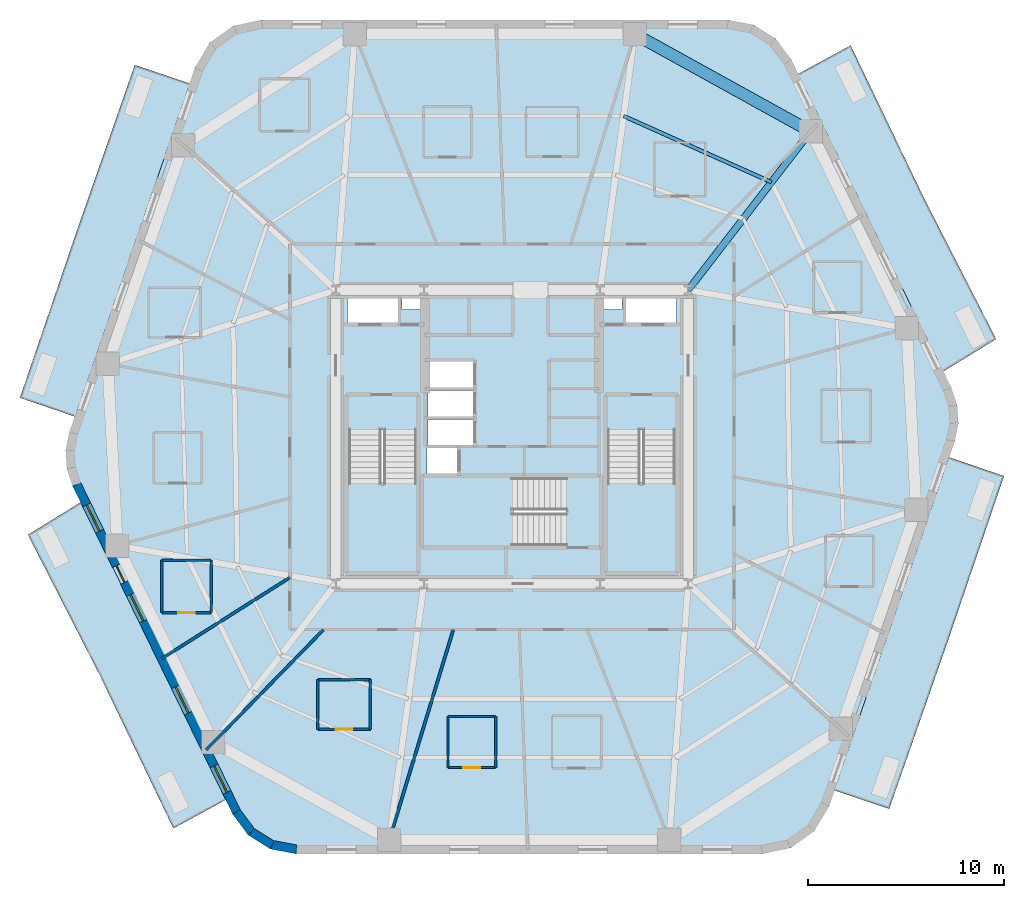
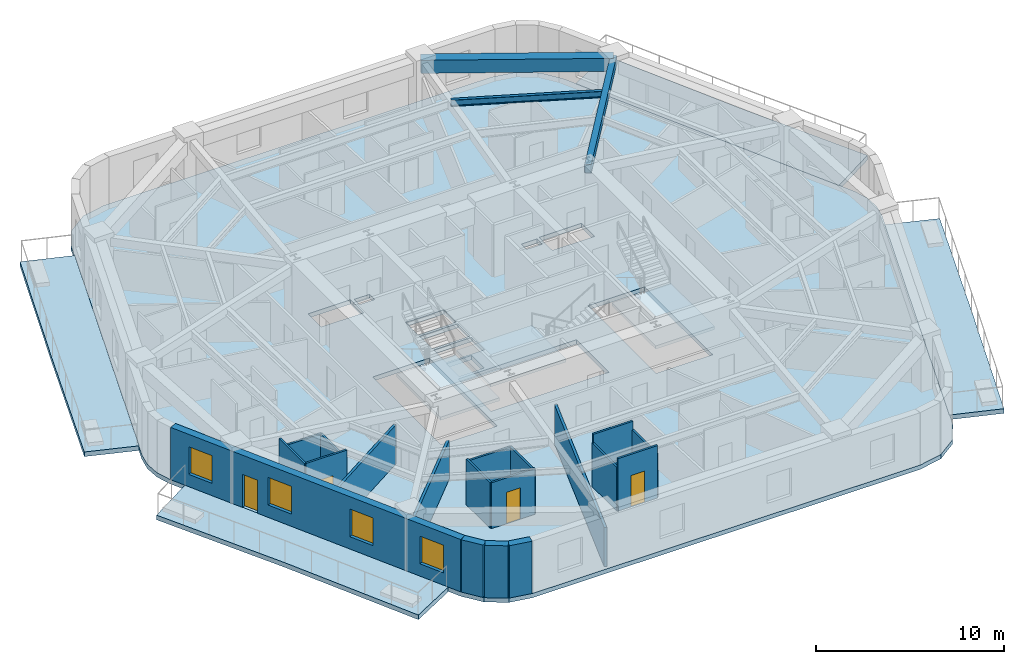
# One storey, part 2 of 10: 19 walls, 8 slabs, 4 doors, 4 windows, 3 beams, 8 openings, 3 elements without a shape of their own.
"""IFC4 building model written with IfcOpenShell, lengths in metres."""

from ifc_helpers import new_model, si_unit, direction, frame, frame_2d, origin, origin_2d, place, context, subcontext, project, spatial, polyline, rectangle, i_section, outline, extrude, material, layer, layer_set, material_profile, profile_set, type_object, element, fill, aggregate, save


model = new_model("IFC4")

# Units and contexts
model_context = context("Model", 3, precision=1e-05, world=origin(), true_north=direction((0.0, 1.0)))
body_context = subcontext(model_context, "Body", "Model", "MODEL_VIEW")
ifc_project = project(units=[si_unit("LENGTHUNIT", "METRE"), si_unit("AREAUNIT", "SQUARE_METRE"), si_unit("VOLUMEUNIT", "CUBIC_METRE"), si_unit("PLANEANGLEUNIT", "RADIAN"), si_unit("MASSUNIT", "GRAM", prefix="KILO")], contexts=[model_context])

# Site, building, storey
site_placement = place(None, origin())
site = spatial("IfcSite", under=ifc_project, at=site_placement, CompositionType="ELEMENT")
building_placement = place(site_placement, origin())
building = spatial("IfcBuilding", under=site, at=building_placement, Name="Kilnhurst Terrace Hotel", CompositionType="ELEMENT")
storey_placement = place(building_placement, frame((0.0, 0.0, 121.0)))
storey = spatial("IfcBuildingStorey", under=building, at=storey_placement, Name="L29", CompositionType="ELEMENT", Elevation=121.0)

# Beams
ifc_material_1 = material(Name="Concrete C50/60", Category="concrete")
ifc_material_profile_1 = material_profile(ifc_material_1, rectangle(XDim=0.35009765625, YDim=0.550048828125, at=origin_2d()), Name="RC350X550")
ifc_profile_set_1 = profile_set([ifc_material_profile_1], Name="Concrete C50/60")
beam_type_1 = type_object("IfcBeamType", Name="BM-RAD-350X550", PredefinedType="BEAM", material=ifc_profile_set_1)
beam_1_placement = place(storey_placement, frame((9.0, 7.5, 3.125), z_axis=(0.610904638371, 0.79170418896, 0.0), x_axis=(-0.79170418896, 0.610904638371, 0.0)))
element("IfcBeam", 1, at=beam_1_placement, inside=storey, type_object=beam_type_1, Name="L29 Radial Floor Beam 6", PredefinedType="BEAM", context=body_context, shape_type="SweptSolid", body=[
    extrude(rectangle(XDim=0.35009765625, YDim=0.550048828125, at=origin_2d()), origin(), (0.0, 0.0, 1.0), 10.242431640625),
])
ifc_material_profile_2 = material_profile(ifc_material_1, rectangle(XDim=0.60009765625, YDim=0.85009765625, at=origin_2d()), Name="RC600X850")
ifc_profile_set_2 = profile_set([ifc_material_profile_2], Name="Concrete C50/60")
beam_type_2 = type_object("IfcBeamType", Name="BM-SPN-600X850", PredefinedType="SPANDREL", material=ifc_profile_set_2)
beam_2_placement = place(storey_placement, frame((15.257080078125, 15.60888671875, 2.97509765625), z_axis=(-0.875094010429, 0.483952965598, 0.0), x_axis=(-0.483952965598, -0.875094010429, 0.0)))
element("IfcBeam", 2, at=beam_2_placement, inside=storey, type_object=beam_type_2, Name="L29 Perimeter Spandrel Beam 6", PredefinedType="SPANDREL", context=body_context, shape_type="SweptSolid", body=[
    extrude(rectangle(XDim=0.60009765625, YDim=0.85009765625, at=origin_2d()), origin(), (0.0, 0.0, 1.0), 10.27197265625),
])
ifc_material_2 = material(Name="Steel ASTM A992 Grade 50", Category="steel")
ifc_material_profile_3 = material_profile(ifc_material_2, i_section(OverallWidth=0.180908203125, OverallDepth=0.417236328125, WebThickness=0.010986328125, FlangeThickness=0.018310546875, at=origin_2d()), Name="W16X57")
ifc_profile_set_3 = profile_set([ifc_material_profile_3], Name="Steel ASTM A992 Grade 50")
beam_type_3 = type_object("IfcBeamType", Name="JST-STL-W16X57", PredefinedType="JOIST", material=ifc_profile_set_3)
beam_3_placement = place(storey_placement, frame((13.2548828125, 13.01416015625, 3.19091796875), z_axis=(-0.912760935806, 0.408494154262, 0.0), x_axis=(-0.408494154262, -0.912760935806, 0.0)))
element("IfcBeam", 3, at=beam_3_placement, inside=storey, type_object=beam_type_3, Name="L29 Secondary Floor Steel Joist OUT.6", PredefinedType="JOIST", context=body_context, shape_type="SweptSolid", body=[
    extrude(i_section(OverallWidth=0.180908203125, OverallDepth=0.417236328125, WebThickness=0.010986328125, FlangeThickness=0.018310546875, at=origin_2d()), origin(), (0.0, 0.0, 1.0), 8.274658203125),
])

# Slabs
ifc_layer_1 = layer(ifc_material_1, 0.300048828125, Name="Concrete C50/60")
ifc_layer_set_1 = layer_set([ifc_layer_1], Name="Concrete C50/60")
slab_type_1 = type_object("IfcSlabType", Name="SLB-BAL-300", PredefinedType="FLOOR", material=ifc_layer_set_1)
slab_1_placement = place(storey_placement, frame((0.0, 0.0, -0.300048828125)))
element("IfcSlab", 4, at=slab_1_placement, inside=storey, type_object=slab_type_1, Name="L29 Cantilevered Planted Terrace Slab BAL-L1A", PredefinedType="FLOOR", context=body_context, shape_type="SweptSolid", body=[
    extrude(outline(polyline([(22.233154296875, -10.52880859375), (19.273193359375, -19.0), (16.45751953125, -18.05615234375), (22.319091796875, -1.03466796875), (25.13623046875, -2.0), (22.233154296875, -10.52880859375)])), origin(), (0.0, 0.0, 1.0), 0.300048828125),
])
slab_2_placement = place(storey_placement, frame((0.0, 0.0, -0.300048828125)))
element("IfcSlab", 5, at=slab_2_placement, inside=storey, type_object=slab_type_1, Name="L29 Cantilevered Planted Terrace Slab BAL-L1B", PredefinedType="FLOOR", context=body_context, shape_type="SweptSolid", body=[
    extrude(outline(polyline([(24.734130859375, 5.0), (22.023193359375, 3.333740234375), (14.6083984375, 18.53564453125), (17.301513671875, 20.0), (21.044921875, 12.205810546875), (24.734130859375, 5.0)])), origin(), (0.0, 0.0, 1.0), 0.300048828125),
])
slab_3_placement = place(storey_placement, frame((0.0, 0.0, -0.300048828125)))
element("IfcSlab", 6, at=slab_3_placement, inside=storey, type_object=slab_type_1, Name="L29 Cantilevered Planted Terrace Slab BAL-L2A", PredefinedType="FLOOR", context=body_context, shape_type="SweptSolid", body=[
    extrude(outline(polyline([(-19.273193359375, 19.0), (-16.45751953125, 18.05615234375), (-22.319091796875, 1.03466796875), (-25.13623046875, 2.0), (-22.233154296875, 10.52880859375), (-19.273193359375, 19.0)])), origin(), (0.0, 0.0, 1.0), 0.300048828125),
])
slab_4_placement = place(storey_placement, frame((0.0, 0.0, -0.300048828125)))
element("IfcSlab", 7, at=slab_4_placement, inside=storey, type_object=slab_type_1, Name="L29 Cantilevered Planted Terrace Slab BAL-L2B", PredefinedType="FLOOR", context=body_context, shape_type="SweptSolid", body=[
    extrude(outline(polyline([(-24.734130859375, -5.0), (-22.023193359375, -3.333740234375), (-14.6083984375, -18.53564453125), (-17.301513671875, -20.0), (-21.044921875, -12.205810546875), (-24.734130859375, -5.0)])), origin(), (0.0, 0.0, 1.0), 0.300048828125),
])
ifc_layer_2 = layer(ifc_material_1, 0.280029296875, Name="Concrete C50/60")
ifc_layer_set_2 = layer_set([ifc_layer_2], Name="Concrete C50/60")
slab_type_2 = type_object("IfcSlabType", Name="SLB-FLR-280", PredefinedType="FLOOR", material=ifc_layer_set_2)
slab_5_placement = place(storey_placement, frame((0.0, 0.0, -0.280029296875)))
element("IfcSlab", 8, at=slab_5_placement, inside=storey, type_object=slab_type_2, Name="L29 Structural Floor Slab", PredefinedType="FLOOR", context=body_context, shape_type="SweptSolid", body=[
    extrude(outline(polyline([(-14.2685546875, -19.2783203125), (-13.472900390625, -20.34716796875), (-12.342529296875, -21.05322265625), (-11.032958984375, -21.300048828125), (12.793701171875, -21.300048828125), (14.23876953125, -20.997314453125), (15.44091796875, -20.139892578125), (16.197509765625, -18.872314453125), (22.614501953125, -0.238525390625), (22.8017578125, 0.6826171875), (22.744384765625, 1.62060546875), (22.4462890625, 2.51171875), (14.2685546875, 19.2783203125), (13.472900390625, 20.34716796875), (12.342529296875, 21.05322265625), (11.032958984375, 21.300048828125), (-12.793701171875, 21.300048828125), (-14.23876953125, 20.997314453125), (-15.44091796875, 20.139892578125), (-16.197509765625, 18.872314453125), (-22.614501953125, 0.238525390625), (-22.8017578125, -0.6826171875), (-22.744384765625, -1.62060546875), (-22.4462890625, -2.51171875), (-14.2685546875, -19.2783203125)]), holes=[polyline([(-8.35009765625, 0.35498046875), (-4.8798828125, 0.35498046875), (-4.8798828125, -6.89990234375), (-8.35009765625, -6.89990234375), (-8.35009765625, 0.35498046875)]), polyline([(-2.800048828125, -1.89990234375), (-4.35009765625, -1.89990234375), (-4.35009765625, -0.550048828125), (-2.800048828125, -0.550048828125), (-2.800048828125, -1.89990234375)]), polyline([(-1.949951171875, -0.429931640625), (-4.300048828125, -0.429931640625), (-4.300048828125, 0.89990234375), (-1.949951171875, 0.89990234375), (-1.949951171875, -0.429931640625)]), polyline([(-4.300048828125, 1.050048828125), (-4.300048828125, 2.3798828125), (-1.949951171875, 2.3798828125), (-1.949951171875, 1.050048828125), (-4.300048828125, 1.050048828125)]), polyline([(-8.39990234375, 5.75), (-8.39990234375, 7.14990234375), (-5.800048828125, 7.14990234375), (-5.800048828125, 5.75), (-8.39990234375, 5.75)]), polyline([(-4.659912109375, 6.52001953125), (-5.6201171875, 6.52001953125), (-5.6201171875, 7.080078125), (-4.659912109375, 7.080078125), (-4.659912109375, 6.52001953125)]), polyline([(2.7548828125, -5.550048828125), (-4.5, -5.550048828125), (-4.5, -2.080078125), (2.7548828125, -2.080078125), (2.7548828125, -5.550048828125)]), polyline([(8.35009765625, 0.35498046875), (8.35009765625, -6.89990234375), (4.8798828125, -6.89990234375), (4.8798828125, 0.35498046875), (8.35009765625, 0.35498046875)]), polyline([(-1.949951171875, 2.530029296875), (-4.300048828125, 2.530029296875), (-4.300048828125, 3.860107421875), (-1.949951171875, 3.860107421875), (-1.949951171875, 2.530029296875)]), polyline([(5.800048828125, 5.75), (5.800048828125, 7.14990234375), (8.39990234375, 7.14990234375), (8.39990234375, 5.75), (5.800048828125, 5.75)]), polyline([(4.659912109375, 6.52001953125), (4.659912109375, 7.080078125), (5.6201171875, 7.080078125), (5.6201171875, 6.52001953125), (4.659912109375, 6.52001953125)])]), origin(), (0.0, 0.0, 1.0), 0.280029296875),
])

# Stair, slab
stair_type = type_object("IfcStairType", Name="STR-CORE-1660", PredefinedType="HALF_TURN_STAIR", material=ifc_material_1)
stair_1_placement = place(storey_placement, origin())
stair_1 = element("IfcStair", 9, at=stair_1_placement, inside=storey, type_object=stair_type, Name="L29 ST-1", PredefinedType="HALF_TURN_STAIR")
ifc_layer_3 = layer(ifc_material_1, 0.199951171875, Name="Concrete C50/60")
ifc_layer_set_3 = layer_set([ifc_layer_3], Name="Concrete C50/60")
slab_type_3 = type_object("IfcSlabType", Name="SLB-ST-LND-200", PredefinedType="LANDING", material=ifc_layer_set_3)
slab_6_placement = place(storey_placement, frame((0.0, 0.0, 1.64990234375)))
slab_6 = element("IfcSlab", 10, at=slab_6_placement, type_object=slab_type_3, Name="ST-1 landing 1", PredefinedType="LANDING", context=body_context, shape_type="SweptSolid", body=[
    extrude(outline(polyline([(-8.429931640625, -2.330078125), (-4.800048828125, -2.330078125), (-4.800048828125, -6.97998046875), (-8.429931640625, -6.97998046875), (-8.429931640625, -2.330078125)])), origin(), (0.0, 0.0, 1.0), 0.2001953125),
])
aggregate(stair_1, [slab_6])

stair_2_placement = place(storey_placement, origin())
stair_2 = element("IfcStair", 11, at=stair_2_placement, inside=storey, type_object=stair_type, Name="L29 ST-2", PredefinedType="HALF_TURN_STAIR")
slab_7_placement = place(storey_placement, frame((0.0, 0.0, 1.64990234375)))
slab_7 = element("IfcSlab", 12, at=slab_7_placement, type_object=slab_type_3, Name="ST-2 landing 1", PredefinedType="LANDING", context=body_context, shape_type="SweptSolid", body=[
    extrude(outline(polyline([(4.800048828125, -2.330078125), (8.429931640625, -2.330078125), (8.429931640625, -6.97998046875), (4.800048828125, -6.97998046875), (4.800048828125, -2.330078125)])), origin(), (0.0, 0.0, 1.0), 0.2001953125),
])
aggregate(stair_2, [slab_7])

stair_3_placement = place(storey_placement, origin())
stair_3 = element("IfcStair", 13, at=stair_3_placement, inside=storey, type_object=stair_type, Name="L29 ST-3", PredefinedType="HALF_TURN_STAIR")
slab_8_placement = place(storey_placement, frame((0.0, 0.0, 1.64990234375)))
slab_8 = element("IfcSlab", 14, at=slab_8_placement, type_object=slab_type_3, Name="ST-3 landing 1", PredefinedType="LANDING", context=body_context, shape_type="SweptSolid", body=[
    extrude(outline(polyline([(0.070068359375, -2.0), (0.070068359375, -5.6298828125), (-4.580078125, -5.6298828125), (-4.580078125, -2.0), (0.070068359375, -2.0)])), origin(), (0.0, 0.0, 1.0), 0.2001953125),
])
aggregate(stair_3, [slab_8])

# Walls
ifc_material_3 = material(Name="Precast concrete C40/50", Category="concrete")
ifc_layer_4 = layer(ifc_material_3, 0.449951171875, Name="Precast concrete C40/50")
ifc_layer_set_4 = layer_set([ifc_layer_4], Name="Precast concrete C40/50")
wall_type_1 = type_object("IfcWallType", Name="WL-BRK-450", PredefinedType="SOLIDWALL", material=ifc_layer_set_4)
wall_1_placement = place(storey_placement, frame((-14.07568359375, -19.16064453125, 0.0), z_axis=(0.0, 0.0, 1.0), x_axis=(0.597226657159, -0.802072515412, 0.0)))
element("IfcWall", 15, at=wall_1_placement, inside=storey, type_object=wall_type_1, Name="L29 Rounded Corner Brick Wall C1.1", PredefinedType="SOLIDWALL", context=body_context, shape_type="SweptSolid", body=[
    extrude(rectangle(XDim=1.269287109375, YDim=0.449951171875, at=frame_2d((0.634765625, 0.0))), origin(), (0.0, 0.0, 1.0), 3.39990234375),
])
wall_2_placement = place(storey_placement, frame((-13.317626953125, -20.1787109375, 0.0), z_axis=(0.0, 0.0, 1.0), x_axis=(0.848031272749, -0.529946186362, 0.0)))
element("IfcWall", 16, at=wall_2_placement, inside=storey, type_object=wall_type_1, Name="L29 Rounded Corner Brick Wall C1.2", PredefinedType="SOLIDWALL", context=body_context, shape_type="SweptSolid", body=[
    extrude(rectangle(XDim=1.248046875, YDim=0.449951171875, at=frame_2d((0.6240234375, 0.0))), origin(), (0.0, 0.0, 1.0), 3.39990234375),
])
wall_3_placement = place(storey_placement, frame((-12.25927734375, -20.840087890625, 0.0), z_axis=(0.0, 0.0, 1.0), x_axis=(0.982730354425, -0.185043374624, 0.0)))
element("IfcWall", 17, at=wall_3_placement, inside=storey, type_object=wall_type_1, Name="L29 Rounded Corner Brick Wall C1.3", PredefinedType="SOLIDWALL", context=body_context, shape_type="SweptSolid", body=[
    extrude(rectangle(XDim=1.269287109375, YDim=0.449951171875, at=frame_2d((0.634765625, 0.0))), origin(), (0.0, 0.0, 1.0), 3.39990234375),
])

# Wall, openings, door, windows
wall_4_placement = place(storey_placement, frame((-22.237548828125, -2.426513671875, 0.0), z_axis=(0.0, 0.0, 1.0), x_axis=(0.438374803278, -0.898792262901, 0.0)))
wall_4 = element("IfcWall", 18, at=wall_4_placement, inside=storey, type_object=wall_type_1, Name="L29 Exterior Brick Facade Wall F6", PredefinedType="SOLIDWALL", context=body_context, shape_type="SweptSolid", body=[
    extrude(rectangle(XDim=18.618408203125, YDim=0.449951171875, at=frame_2d((9.30908203125, 0.0))), origin(), (0.0, 0.0, 1.0), 3.39990234375),
])
opening_1_placement = place(wall_4_placement, frame((4.6201171875, 0.0, 0.0)))
opening_1 = element("IfcOpeningElement", 19, at=opening_1_placement, cuts=wall_4, Name="Opening BD-950", PredefinedType="OPENING", context=body_context, shape_type="SweptSolid", body=[
    extrude(rectangle(XDim=0.949951171875, YDim=2.14990234375, at=frame_2d((0.47509765625, 1.074951171875))), frame((0.0, 0.23486328125, 0.0), z_axis=(0.0, -1.0, 0.0), x_axis=(1.0, 0.0, 0.0)), (0.0, 0.0, 1.0), 0.469970703125),
])
opening_2_placement = place(wall_4_placement, frame((1.1630859375, 0.0, 0.800048828125)))
opening_2 = element("IfcOpeningElement", 20, at=opening_2_placement, cuts=wall_4, Name="Opening W-02", PredefinedType="OPENING", context=body_context, shape_type="SweptSolid", body=[
    extrude(rectangle(XDim=1.5, YDim=1.800048828125, at=frame_2d((0.75, 0.89990234375))), frame((0.0, 0.23486328125, 0.0), z_axis=(0.0, -1.0, 0.0), x_axis=(1.0, 0.0, 0.0)), (0.0, 0.0, 1.0), 0.469970703125),
])
opening_3_placement = place(wall_4_placement, frame((6.261962890625, 0.0, 0.800048828125)))
opening_3 = element("IfcOpeningElement", 21, at=opening_3_placement, cuts=wall_4, Name="Opening W-02", PredefinedType="OPENING", context=body_context, shape_type="SweptSolid", body=[
    extrude(rectangle(XDim=1.5, YDim=1.800048828125, at=frame_2d((0.75, 0.89990234375))), frame((0.0, 0.23486328125, 0.0), z_axis=(0.0, -1.0, 0.0), x_axis=(1.0, 0.0, 0.0)), (0.0, 0.0, 1.0), 0.469970703125),
])
opening_4_placement = place(wall_4_placement, frame((11.5009765625, 0.0, 0.800048828125)))
opening_4 = element("IfcOpeningElement", 22, at=opening_4_placement, cuts=wall_4, Name="Opening W-02", PredefinedType="OPENING", context=body_context, shape_type="SweptSolid", body=[
    extrude(rectangle(XDim=1.5, YDim=1.800048828125, at=frame_2d((0.75, 0.89990234375))), frame((0.0, 0.23486328125, 0.0), z_axis=(0.0, -1.0, 0.0), x_axis=(1.0, 0.0, 0.0)), (0.0, 0.0, 1.0), 0.469970703125),
])
opening_5_placement = place(wall_4_placement, frame((16.006103515625, 0.0, 0.800048828125)))
opening_5 = element("IfcOpeningElement", 23, at=opening_5_placement, cuts=wall_4, Name="Opening W-02", PredefinedType="OPENING", context=body_context, shape_type="SweptSolid", body=[
    extrude(rectangle(XDim=1.5, YDim=1.800048828125, at=frame_2d((0.75, 0.89990234375))), frame((0.0, 0.23486328125, 0.0), z_axis=(0.0, -1.0, 0.0), x_axis=(1.0, 0.0, 0.0)), (0.0, 0.0, 1.0), 0.469970703125),
])
ifc_material_4 = material(Name="Thermally Broken Bronze Aluminium Alloy 6063-T6 and Laminated Glass", Category="aluminium")
door_type_1 = type_object("IfcDoorType", Name="DR-EXT-BAL-950", OperationType="NOTDEFINED", PredefinedType="DOOR", material=ifc_material_4)
door_1_placement = place(opening_1_placement, origin())
door_1 = element("IfcDoor", 24, at=door_1_placement, inside=storey, type_object=door_type_1, Name="L29 Planted Balcony Door BAL-L2B", OperationType="SINGLE_SWING_RIGHT", OverallHeight=2.14990234375, OverallWidth=0.949951171875, PredefinedType="DOOR", context=body_context, shape_type="SweptSolid", body=[
    extrude(rectangle(XDim=0.949951171875, YDim=2.14990234375, at=frame_2d((0.47509765625, 1.074951171875))), frame((0.0, 0.02490234375, 0.0), z_axis=(0.0, -1.0, 0.0), x_axis=(1.0, 0.0, 0.0)), (0.0, 0.0, 1.0), 0.050048828125),
])
fill(opening_1, door_1)
ifc_material_5 = material(Name="Thermally Broken Bronze Aluminium Alloy 6063-T6 and Low-E Glass", Category="aluminium")
window_type = type_object("IfcWindowType", Name="WIN-1500X1800", PartitioningType="SINGLE_PANEL", PredefinedType="WINDOW", material=ifc_material_5)
window_1_placement = place(opening_2_placement, origin())
window_1 = element("IfcWindow", 25, at=window_1_placement, inside=storey, type_object=window_type, Name="L29 Deep-Set Masonry Window F6.1", OverallHeight=1.800048828125, OverallWidth=1.5, PartitioningType="SINGLE_PANEL", PredefinedType="WINDOW", context=body_context, shape_type="SweptSolid", body=[
    extrude(rectangle(XDim=1.5, YDim=1.800048828125, at=frame_2d((0.75, 0.89990234375))), frame((0.0, 0.030029296875, 0.0), z_axis=(0.0, -1.0, 0.0), x_axis=(1.0, 0.0, 0.0)), (0.0, 0.0, 1.0), 0.06005859375),
])
fill(opening_2, window_1)
window_2_placement = place(opening_3_placement, origin())
window_2 = element("IfcWindow", 26, at=window_2_placement, inside=storey, type_object=window_type, Name="L29 Deep-Set Masonry Window F6.2", OverallHeight=1.800048828125, OverallWidth=1.5, PartitioningType="SINGLE_PANEL", PredefinedType="WINDOW", context=body_context, shape_type="SweptSolid", body=[
    extrude(rectangle(XDim=1.5, YDim=1.800048828125, at=frame_2d((0.75, 0.89990234375))), frame((0.0, 0.030029296875, 0.0), z_axis=(0.0, -1.0, 0.0), x_axis=(1.0, 0.0, 0.0)), (0.0, 0.0, 1.0), 0.06005859375),
])
fill(opening_3, window_2)
window_3_placement = place(opening_4_placement, origin())
window_3 = element("IfcWindow", 27, at=window_3_placement, inside=storey, type_object=window_type, Name="L29 Deep-Set Masonry Window F6.3", OverallHeight=1.800048828125, OverallWidth=1.5, PartitioningType="SINGLE_PANEL", PredefinedType="WINDOW", context=body_context, shape_type="SweptSolid", body=[
    extrude(rectangle(XDim=1.5, YDim=1.800048828125, at=frame_2d((0.75, 0.89990234375))), frame((0.0, 0.030029296875, 0.0), z_axis=(0.0, -1.0, 0.0), x_axis=(1.0, 0.0, 0.0)), (0.0, 0.0, 1.0), 0.06005859375),
])
fill(opening_4, window_3)
window_4_placement = place(opening_5_placement, origin())
window_4 = element("IfcWindow", 28, at=window_4_placement, inside=storey, type_object=window_type, Name="L29 Deep-Set Masonry Window F6.4", OverallHeight=1.800048828125, OverallWidth=1.5, PartitioningType="SINGLE_PANEL", PredefinedType="WINDOW", context=body_context, shape_type="SweptSolid", body=[
    extrude(rectangle(XDim=1.5, YDim=1.800048828125, at=frame_2d((0.75, 0.89990234375))), frame((0.0, 0.030029296875, 0.0), z_axis=(0.0, -1.0, 0.0), x_axis=(1.0, 0.0, 0.0)), (0.0, 0.0, 1.0), 0.06005859375),
])
fill(opening_5, window_4)

# Walls
ifc_material_6 = material(Name="STC-58 Acoustic Twin-Frame Guestroom Demising Partition")
ifc_layer_5 = layer(ifc_material_6, 0.14990234375, Name="STC-58 Acoustic Twin-Frame Guestroom Demising Partition")
ifc_layer_set_5 = layer_set([ifc_layer_5], Name="STC-58 Acoustic Twin-Frame Guestroom Demising Partition")
wall_type_2 = type_object("IfcWallType", Name="WL-DEM-150", PredefinedType="PARTITIONING", material=ifc_layer_set_5)
wall_5_placement = place(storey_placement, frame((-11.35009765625, -7.185302734375, 0.0), z_axis=(0.0, 0.0, 1.0), x_axis=(-0.844928274737, -0.534879622485, 0.0)))
element("IfcWall", 29, at=wall_5_placement, inside=storey, type_object=wall_type_2, Name="L29 Interior Wall WL-L29-DEM-MID07-11-1", PredefinedType="PARTITIONING", context=body_context, shape_type="SweptSolid", body=[
    extrude(rectangle(XDim=7.746826171875, YDim=0.14990234375, at=frame_2d((3.87353515625, 0.0))), origin(), (0.0, 0.0, 1.0), 2.5400390625),
])
wall_6_placement = place(storey_placement, frame((-9.6279296875, -9.85009765625, 0.0), z_axis=(0.0, 0.0, 1.0), x_axis=(-0.698992824326, -0.715128681805, 0.0)))
element("IfcWall", 30, at=wall_6_placement, inside=storey, type_object=wall_type_2, Name="L29 Interior Wall WL-L29-DEM-COL08-12-1", PredefinedType="PARTITIONING", context=body_context, shape_type="SweptSolid", body=[
    extrude(rectangle(XDim=8.578857421875, YDim=0.14990234375, at=frame_2d((4.28955078125, 0.0))), origin(), (0.0, 0.0, 1.0), 2.5400390625),
])
wall_7_placement = place(storey_placement, frame((-3.0, -9.85009765625, 0.0), z_axis=(0.0, 0.0, 1.0), x_axis=(-0.291352035382, -0.95661590593, 0.0)))
element("IfcWall", 31, at=wall_7_placement, inside=storey, type_object=wall_type_2, Name="L29 Interior Wall WL-L29-DEM-COL09-13-1", PredefinedType="PARTITIONING", context=body_context, shape_type="SweptSolid", body=[
    extrude(rectangle(XDim=11.73388671875, YDim=0.14990234375, at=frame_2d((5.866943359375, 0.0))), origin(), (0.0, 0.0, 1.0), 2.5400390625),
])

# Wall, opening, door
ifc_material_7 = material(Name="120 mm Moisture-Resistant Tile-Backed Bathroom Partition")
ifc_layer_6 = layer(ifc_material_7, 0.1201171875, Name="120 mm Moisture-Resistant Tile-Backed Bathroom Partition")
ifc_layer_set_6 = layer_set([ifc_layer_6], Name="120 mm Moisture-Resistant Tile-Backed Bathroom Partition")
wall_type_3 = type_object("IfcWallType", Name="WL-PART-120", PredefinedType="PARTITIONING", material=ifc_layer_set_6)
wall_8_placement = place(storey_placement, frame((-17.89404296875, -8.97998046875, 0.0), z_axis=(0.0, 0.0, 1.0), x_axis=(1.0, 0.0, 0.0)))
wall_8 = element("IfcWall", 32, at=wall_8_placement, inside=storey, type_object=wall_type_3, Name="L29 Interior Wall WL-L29-BTH-10-1", PredefinedType="PARTITIONING", context=body_context, shape_type="SweptSolid", body=[
    extrude(rectangle(XDim=2.52001953125, YDim=0.1201171875, at=frame_2d((1.260009765625, 0.0))), origin(), (0.0, 0.0, 1.0), 3.39990234375),
])
opening_6_placement = place(wall_8_placement, frame((0.8349609375, 0.0, 0.0)))
opening_6 = element("IfcOpeningElement", 33, at=opening_6_placement, cuts=wall_8, Name="Opening D-08A", PredefinedType="OPENING", context=body_context, shape_type="SweptSolid", body=[
    extrude(rectangle(XDim=0.85009765625, YDim=2.030029296875, at=frame_2d((0.425048828125, 1.01513671875))), frame((0.0, 0.070068359375, 0.0), z_axis=(0.0, -1.0, 0.0), x_axis=(1.0, 0.0, 0.0)), (0.0, 0.0, 1.0), 0.14013671875),
])
ifc_material_8 = material(Name="Moisture-Resistant Lacquered En-suite Bathroom Door")
door_type_2 = type_object("IfcDoorType", Name="DR-INT-850", OperationType="NOTDEFINED", PredefinedType="DOOR", material=ifc_material_8)
door_2_placement = place(opening_6_placement, origin())
door_2 = element("IfcDoor", 34, at=door_2_placement, inside=storey, type_object=door_type_2, Name="L29 En-suite Bathroom Door 10", OperationType="SINGLE_SWING_LEFT", OverallHeight=2.030029296875, OverallWidth=0.85009765625, PredefinedType="DOOR", context=body_context, shape_type="SweptSolid", body=[
    extrude(rectangle(XDim=0.85009765625, YDim=2.030029296875, at=frame_2d((0.425048828125, 1.01513671875))), frame((0.0, 0.02490234375, 0.0), z_axis=(0.0, -1.0, 0.0), x_axis=(1.0, 0.0, 0.0)), (0.0, 0.0, 1.0), 0.050048828125),
])
fill(opening_6, door_2)

# Walls
wall_9_placement = place(storey_placement, frame((-15.3740234375, -8.97998046875, 0.0), z_axis=(0.0, 0.0, 1.0), x_axis=(0.0, 1.0, 0.0)))
element("IfcWall", 35, at=wall_9_placement, inside=storey, type_object=wall_type_3, Name="L29 Interior Wall WL-L29-BTH-10-2", PredefinedType="PARTITIONING", context=body_context, shape_type="SweptSolid", body=[
    extrude(rectangle(XDim=2.679931640625, YDim=0.1201171875, at=frame_2d((1.33984375, 0.0))), origin(), (0.0, 0.0, 1.0), 2.840087890625),
])
wall_10_placement = place(storey_placement, frame((-15.3740234375, -6.300048828125, 0.0), z_axis=(0.0, 0.0, 1.0), x_axis=(-1.0, 0.0, 0.0)))
element("IfcWall", 36, at=wall_10_placement, inside=storey, type_object=wall_type_3, Name="L29 Interior Wall WL-L29-BTH-10-3", PredefinedType="PARTITIONING", context=body_context, shape_type="SweptSolid", body=[
    extrude(rectangle(XDim=2.52001953125, YDim=0.1201171875, at=frame_2d((1.260009765625, 0.0))), origin(), (0.0, 0.0, 1.0), 2.840087890625),
])
wall_11_placement = place(storey_placement, frame((-17.89404296875, -6.300048828125, 0.0), z_axis=(0.0, 0.0, 1.0), x_axis=(0.0, -1.0, 0.0)))
element("IfcWall", 37, at=wall_11_placement, inside=storey, type_object=wall_type_3, Name="L29 Interior Wall WL-L29-BTH-10-4", PredefinedType="PARTITIONING", context=body_context, shape_type="SweptSolid", body=[
    extrude(rectangle(XDim=2.679931640625, YDim=0.1201171875, at=frame_2d((1.33984375, 0.0))), origin(), (0.0, 0.0, 1.0), 3.39990234375),
])

# Wall, opening, door
wall_12_placement = place(storey_placement, frame((-9.9169921875, -14.93994140625, 0.0), z_axis=(0.0, 0.0, 1.0), x_axis=(1.0, 0.0, 0.0)))
wall_12 = element("IfcWall", 38, at=wall_12_placement, inside=storey, type_object=wall_type_3, Name="L29 Interior Wall WL-L29-BTH-12-1", PredefinedType="PARTITIONING", context=body_context, shape_type="SweptSolid", body=[
    extrude(rectangle(XDim=2.679931640625, YDim=0.1201171875, at=frame_2d((1.33984375, 0.0))), origin(), (0.0, 0.0, 1.0), 2.972412109375),
])
opening_7_placement = place(wall_12_placement, frame((0.9150390625, 0.0, 0.0)))
opening_7 = element("IfcOpeningElement", 39, at=opening_7_placement, cuts=wall_12, Name="Opening D-08A", PredefinedType="OPENING", context=body_context, shape_type="SweptSolid", body=[
    extrude(rectangle(XDim=0.85009765625, YDim=2.030029296875, at=frame_2d((0.425048828125, 1.01513671875))), frame((0.0, 0.070068359375, 0.0), z_axis=(0.0, -1.0, 0.0), x_axis=(1.0, 0.0, 0.0)), (0.0, 0.0, 1.0), 0.14013671875),
])
door_3_placement = place(opening_7_placement, origin())
door_3 = element("IfcDoor", 40, at=door_3_placement, inside=storey, type_object=door_type_2, Name="L29 En-suite Bathroom Door 12", OperationType="SINGLE_SWING_LEFT", OverallHeight=2.030029296875, OverallWidth=0.85009765625, PredefinedType="DOOR", context=body_context, shape_type="SweptSolid", body=[
    extrude(rectangle(XDim=0.85009765625, YDim=2.030029296875, at=frame_2d((0.425048828125, 1.01513671875))), frame((0.0, 0.02490234375, 0.0), z_axis=(0.0, -1.0, 0.0), x_axis=(1.0, 0.0, 0.0)), (0.0, 0.0, 1.0), 0.050048828125),
])
fill(opening_7, door_3)

# Walls
wall_13_placement = place(storey_placement, frame((-7.237060546875, -14.93994140625, 0.0), z_axis=(0.0, 0.0, 1.0), x_axis=(0.0, 1.0, 0.0)))
element("IfcWall", 41, at=wall_13_placement, inside=storey, type_object=wall_type_3, Name="L29 Interior Wall WL-L29-BTH-12-2", PredefinedType="PARTITIONING", context=body_context, shape_type="SweptSolid", body=[
    extrude(rectangle(XDim=2.5400390625, YDim=0.1201171875, at=frame_2d((1.27001953125, 0.0))), origin(), (0.0, 0.0, 1.0), 2.84033203125),
])
wall_14_placement = place(storey_placement, frame((-7.237060546875, -12.39990234375, 0.0), z_axis=(0.0, 0.0, 1.0), x_axis=(-1.0, 0.0, 0.0)))
element("IfcWall", 42, at=wall_14_placement, inside=storey, type_object=wall_type_3, Name="L29 Interior Wall WL-L29-BTH-12-3", PredefinedType="PARTITIONING", context=body_context, shape_type="SweptSolid", body=[
    extrude(rectangle(XDim=2.679931640625, YDim=0.1201171875, at=frame_2d((1.33984375, 0.0))), origin(), (0.0, 0.0, 1.0), 2.84033203125),
])
wall_15_placement = place(storey_placement, frame((-9.9169921875, -12.39990234375, 0.0), z_axis=(0.0, 0.0, 1.0), x_axis=(0.0, -1.0, 0.0)))
element("IfcWall", 43, at=wall_15_placement, inside=storey, type_object=wall_type_3, Name="L29 Interior Wall WL-L29-BTH-12-4", PredefinedType="PARTITIONING", context=body_context, shape_type="SweptSolid", body=[
    extrude(rectangle(XDim=2.5400390625, YDim=0.1201171875, at=frame_2d((1.27001953125, 0.0))), origin(), (0.0, 0.0, 1.0), 2.972412109375),
])

# Wall, opening, door
wall_16_placement = place(storey_placement, frame((-3.27294921875, -16.89208984375, 0.0), z_axis=(0.0, 0.0, 1.0), x_axis=(1.0, 0.0, 0.0)))
wall_16 = element("IfcWall", 44, at=wall_16_placement, inside=storey, type_object=wall_type_3, Name="L29 Interior Wall WL-L29-BTH-13-1", PredefinedType="PARTITIONING", context=body_context, shape_type="SweptSolid", body=[
    extrude(rectangle(XDim=2.43994140625, YDim=0.1201171875, at=frame_2d((1.219970703125, 0.0))), origin(), (0.0, 0.0, 1.0), 3.39990234375),
])
opening_8_placement = place(wall_16_placement, frame((0.794921875, 0.0, 0.0)))
opening_8 = element("IfcOpeningElement", 45, at=opening_8_placement, cuts=wall_16, Name="Opening D-08A", PredefinedType="OPENING", context=body_context, shape_type="SweptSolid", body=[
    extrude(rectangle(XDim=0.85009765625, YDim=2.030029296875, at=frame_2d((0.425048828125, 1.01513671875))), frame((0.0, 0.070068359375, 0.0), z_axis=(0.0, -1.0, 0.0), x_axis=(1.0, 0.0, 0.0)), (0.0, 0.0, 1.0), 0.14013671875),
])
door_4_placement = place(opening_8_placement, origin())
door_4 = element("IfcDoor", 46, at=door_4_placement, inside=storey, type_object=door_type_2, Name="L29 En-suite Bathroom Door 13", OperationType="SINGLE_SWING_RIGHT", OverallHeight=2.030029296875, OverallWidth=0.85009765625, PredefinedType="DOOR", context=body_context, shape_type="SweptSolid", body=[
    extrude(rectangle(XDim=0.85009765625, YDim=2.030029296875, at=frame_2d((0.425048828125, 1.01513671875))), frame((0.0, 0.02490234375, 0.0), z_axis=(0.0, -1.0, 0.0), x_axis=(1.0, 0.0, 0.0)), (0.0, 0.0, 1.0), 0.050048828125),
])
fill(opening_8, door_4)

# Walls
wall_17_placement = place(storey_placement, frame((-0.8330078125, -16.89208984375, 0.0), z_axis=(0.0, 0.0, 1.0), x_axis=(0.0, 1.0, 0.0)))
element("IfcWall", 47, at=wall_17_placement, inside=storey, type_object=wall_type_3, Name="L29 Interior Wall WL-L29-BTH-13-2", PredefinedType="PARTITIONING", context=body_context, shape_type="SweptSolid", body=[
    extrude(rectangle(XDim=2.610107421875, YDim=0.1201171875, at=frame_2d((1.30517578125, 0.0))), origin(), (0.0, 0.0, 1.0), 2.84033203125),
])
wall_18_placement = place(storey_placement, frame((-0.8330078125, -14.281982421875, 0.0), z_axis=(0.0, 0.0, 1.0), x_axis=(-1.0, 0.0, 0.0)))
element("IfcWall", 48, at=wall_18_placement, inside=storey, type_object=wall_type_3, Name="L29 Interior Wall WL-L29-BTH-13-3", PredefinedType="PARTITIONING", context=body_context, shape_type="SweptSolid", body=[
    extrude(rectangle(XDim=2.43994140625, YDim=0.1201171875, at=frame_2d((1.219970703125, 0.0))), origin(), (0.0, 0.0, 1.0), 3.39990234375),
])
wall_19_placement = place(storey_placement, frame((-3.27294921875, -14.281982421875, 0.0), z_axis=(0.0, 0.0, 1.0), x_axis=(0.0, -1.0, 0.0)))
element("IfcWall", 49, at=wall_19_placement, inside=storey, type_object=wall_type_3, Name="L29 Interior Wall WL-L29-BTH-13-4", PredefinedType="PARTITIONING", context=body_context, shape_type="SweptSolid", body=[
    extrude(rectangle(XDim=2.610107421875, YDim=0.1201171875, at=frame_2d((1.30517578125, 0.0))), origin(), (0.0, 0.0, 1.0), 2.84033203125),
])

save(model, "model.ifc")
